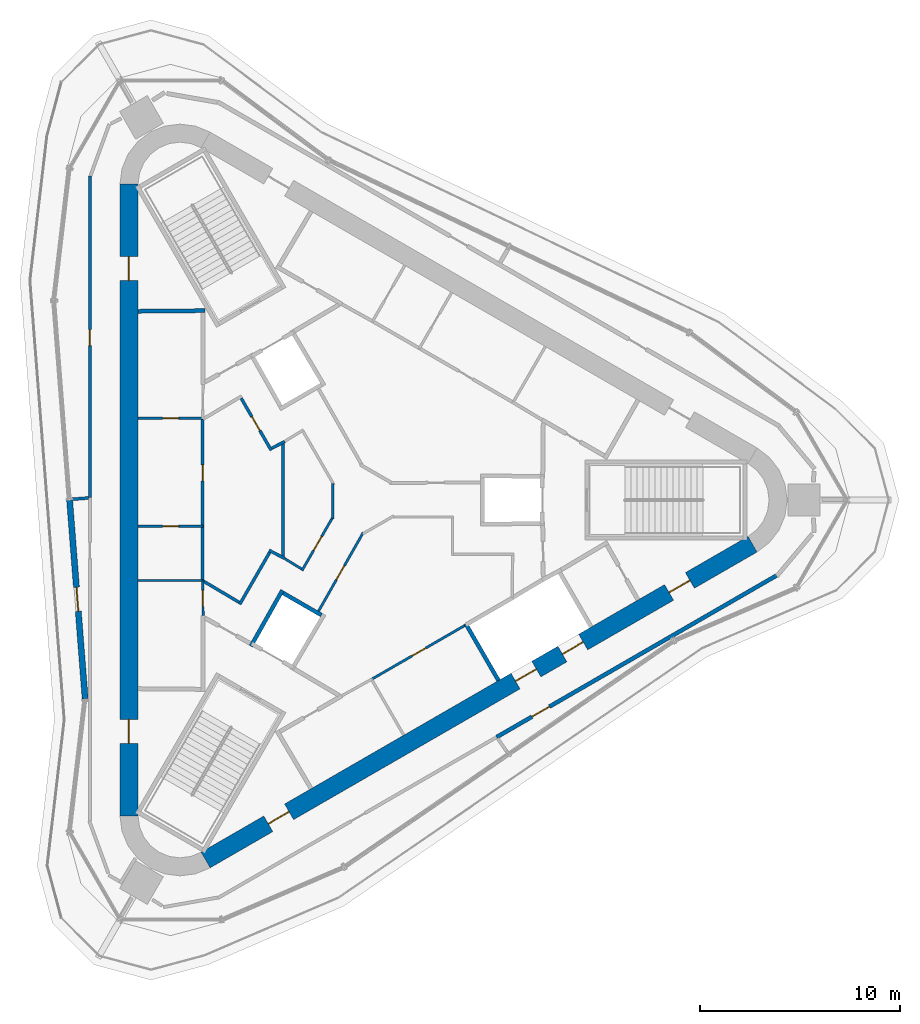
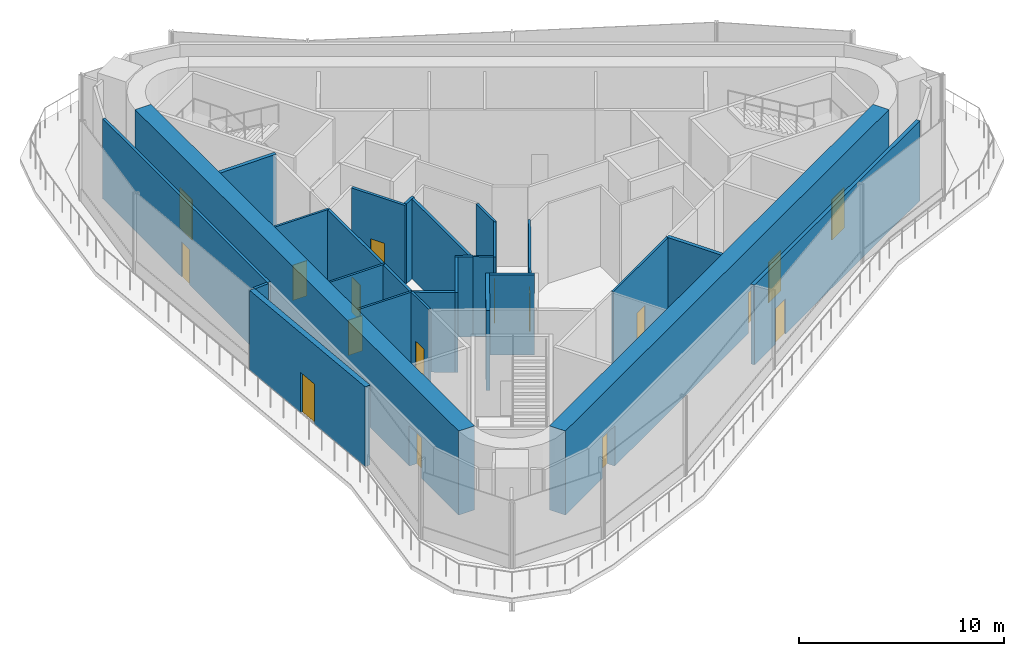
# One storey, part 4 of 8: 26 walls, 17 doors, 17 openings.
"""IFC4 building model written with IfcOpenShell, lengths in metres."""

from ifc_helpers import new_model, si_unit, direction, frame, frame_2d, origin, place, context, subcontext, project, spatial, rectangle, extrude, material, layer, layer_set, type_object, element, fill, save


model = new_model("IFC4")

# Units and contexts
model_context = context("Model", 3, precision=1e-05, world=origin(), true_north=direction((0.0, 1.0)))
body_context = subcontext(model_context, "Body", "Model", "MODEL_VIEW")
ifc_project = project(units=[si_unit("LENGTHUNIT", "METRE"), si_unit("AREAUNIT", "SQUARE_METRE"), si_unit("VOLUMEUNIT", "CUBIC_METRE"), si_unit("PLANEANGLEUNIT", "RADIAN"), si_unit("MASSUNIT", "GRAM", prefix="KILO")], contexts=[model_context])

# Site, building, storey
site_placement = place(None, origin())
site = spatial("IfcSite", under=ifc_project, at=site_placement, CompositionType="ELEMENT")
building_placement = place(site_placement, origin())
building = spatial("IfcBuilding", under=site, at=building_placement, Name="Tanit Gate Tower", CompositionType="ELEMENT")
storey_placement = place(building_placement, frame((0.0, 0.0, 435.300048828125)))
storey = spatial("IfcBuildingStorey", under=building, at=storey_placement, Name="L98", CompositionType="ELEMENT", Elevation=435.300048828125)

# Wall, openings, doors
ifc_material_1 = material(Name="Concrete C40/50", Category="concrete")
ifc_layer_1 = layer(ifc_material_1, 0.89990234375)
ifc_layer_set_1 = layer_set([ifc_layer_1], Name="CORE WALL 900 C40/50")
wall_type_1 = type_object("IfcWallType", Name="CORE WALL 900 C40/50", PredefinedType="SHEAR", material=ifc_layer_set_1)
wall_1_placement = place(storey_placement, frame((-11.64990234375, 15.76171875, 0.0), z_axis=(0.0, 0.0, 1.0), x_axis=(0.0, -1.0, 0.0)))
wall_1 = element("IfcWall", 1, at=wall_1_placement, inside=storey, type_object=wall_type_1, Name="CORE WALL", PredefinedType="SHEAR", context=body_context, shape_type="SweptSolid", body=[
    extrude(rectangle(XDim=31.5234375, YDim=0.89990234375, at=frame_2d((15.76171875, 0.0))), origin(), (0.0, 0.0, 1.0), 5.0),
])
opening_1_placement = place(wall_1_placement, frame((3.61181640625, 0.0, 0.0)))
opening_1 = element("IfcOpeningElement", 2, at=opening_1_placement, cuts=wall_1, Name="Opening F12-98-FL2", PredefinedType="OPENING", context=body_context, shape_type="SweptSolid", body=[
    extrude(rectangle(XDim=1.199951171875, YDim=2.39990234375, at=frame_2d((0.60009765625, 1.199951171875))), frame((0.0, 0.4599609375, 0.0), z_axis=(0.0, -1.0, 0.0), x_axis=(1.0, 0.0, 0.0)), (0.0, 0.0, 1.0), 0.919921875),
])
opening_2_placement = place(wall_1_placement, frame((26.711669921875, 0.0, 0.0)))
opening_2 = element("IfcOpeningElement", 3, at=opening_2_placement, cuts=wall_1, Name="Opening F12-98-S3", PredefinedType="OPENING", context=body_context, shape_type="SweptSolid", body=[
    extrude(rectangle(XDim=1.199951171875, YDim=2.39990234375, at=frame_2d((0.60009765625, 1.199951171875))), frame((0.0, 0.4599609375, 0.0), z_axis=(0.0, -1.0, 0.0), x_axis=(1.0, 0.0, 0.0)), (0.0, 0.0, 1.0), 0.919921875),
])
ifc_material_2 = material(Name="Fire-rated steel door leaf", Category="steel")
door_type_1 = type_object("IfcDoorType", Name="INT-DOOR-FIRE-LOBBY-1200", OperationType="NOTDEFINED", PredefinedType="USERDEFINED", material=ifc_material_2)
door_1_placement = place(opening_1_placement, origin())
door_1 = element("IfcDoor", 4, at=door_1_placement, inside=storey, type_object=door_type_1, Name="Door F12-98-FL2", ObjectType="FIRE DOOR", OperationType="SINGLE_SWING_RIGHT", OverallHeight=2.39990234375, OverallWidth=1.199951171875, PredefinedType="USERDEFINED", context=body_context, shape_type="SweptSolid", body=[
    extrude(rectangle(XDim=1.199951171875, YDim=2.39990234375, at=frame_2d((0.60009765625, 1.199951171875))), frame((0.0, 0.02490234375, 0.0), z_axis=(0.0, -1.0, 0.0), x_axis=(1.0, 0.0, 0.0)), (0.0, 0.0, 1.0), 0.050048828125),
])
fill(opening_1, door_1)
door_2_placement = place(opening_2_placement, origin())
door_2 = element("IfcDoor", 5, at=door_2_placement, inside=storey, type_object=door_type_1, Name="Door F12-98-S3", ObjectType="FIRE DOOR", OperationType="SINGLE_SWING_LEFT", OverallHeight=2.39990234375, OverallWidth=1.199951171875, PredefinedType="USERDEFINED", context=body_context, shape_type="SweptSolid", body=[
    extrude(rectangle(XDim=1.199951171875, YDim=2.39990234375, at=frame_2d((0.60009765625, 1.199951171875))), frame((0.0, 0.02490234375, 0.0), z_axis=(0.0, -1.0, 0.0), x_axis=(1.0, 0.0, 0.0)), (0.0, 0.0, 1.0), 0.050048828125),
])
fill(opening_2, door_2)

wall_2_placement = place(storey_placement, frame((-7.824951171875, -17.969970703125, 0.0), z_axis=(0.0, 0.0, 1.0), x_axis=(0.866028369851, 0.499994862586, 0.0)))
wall_2 = element("IfcWall", 6, at=wall_2_placement, inside=storey, type_object=wall_type_1, Name="CORE WALL", PredefinedType="SHEAR", context=body_context, shape_type="SweptSolid", body=[
    extrude(rectangle(XDim=31.523193359375, YDim=0.89990234375, at=frame_2d((15.76171875, 0.0))), origin(), (0.0, 0.0, 1.0), 5.0),
])
opening_3_placement = place(wall_2_placement, frame((17.861572265625, 0.0, 0.0)))
opening_3 = element("IfcOpeningElement", 7, at=opening_3_placement, cuts=wall_2, Name="Opening LDSV1-98", PredefinedType="OPENING", context=body_context, shape_type="SweptSolid", body=[
    extrude(rectangle(XDim=1.199951171875, YDim=2.39990234375, at=frame_2d((0.60009765625, 1.199951171875))), frame((0.0, 0.4599609375, 0.0), z_axis=(0.0, -1.0, 0.0), x_axis=(1.0, 0.0, 0.0)), (0.0, 0.0, 1.0), 0.919921875),
])
opening_4_placement = place(wall_2_placement, frame((20.561767578125, 0.0, 0.0)))
opening_4 = element("IfcOpeningElement", 8, at=opening_4_placement, cuts=wall_2, Name="Opening LDSV2-98", PredefinedType="OPENING", context=body_context, shape_type="SweptSolid", body=[
    extrude(rectangle(XDim=1.199951171875, YDim=2.39990234375, at=frame_2d((0.60009765625, 1.199951171875))), frame((0.0, 0.4599609375, 0.0), z_axis=(0.0, -1.0, 0.0), x_axis=(1.0, 0.0, 0.0)), (0.0, 0.0, 1.0), 0.919921875),
])
opening_5_placement = place(wall_2_placement, frame((26.711669921875, 0.0, 0.0)))
opening_5 = element("IfcOpeningElement", 9, at=opening_5_placement, cuts=wall_2, Name="Opening F12-98-S1", PredefinedType="OPENING", context=body_context, shape_type="SweptSolid", body=[
    extrude(rectangle(XDim=1.199951171875, YDim=2.39990234375, at=frame_2d((0.60009765625, 1.199951171875))), frame((0.0, 0.4599609375, 0.0), z_axis=(0.0, -1.0, 0.0), x_axis=(1.0, 0.0, 0.0)), (0.0, 0.0, 1.0), 0.919921875),
])
opening_6_placement = place(wall_2_placement, frame((3.611572265625, 0.0, 0.0)))
opening_6 = element("IfcOpeningElement", 10, at=opening_6_placement, cuts=wall_2, Name="Opening F12-98-FL3", PredefinedType="OPENING", context=body_context, shape_type="SweptSolid", body=[
    extrude(rectangle(XDim=1.199951171875, YDim=2.39990234375, at=frame_2d((0.60009765625, 1.199951171875))), frame((0.0, 0.4599609375, 0.0), z_axis=(0.0, -1.0, 0.0), x_axis=(1.0, 0.0, 0.0)), (0.0, 0.0, 1.0), 0.919921875),
])
door_3_placement = place(opening_5_placement, origin())
door_3 = element("IfcDoor", 11, at=door_3_placement, inside=storey, type_object=door_type_1, Name="Door F12-98-S1", ObjectType="FIRE DOOR", OperationType="SINGLE_SWING_RIGHT", OverallHeight=2.39990234375, OverallWidth=1.199951171875, PredefinedType="USERDEFINED", context=body_context, shape_type="SweptSolid", body=[
    extrude(rectangle(XDim=1.199951171875, YDim=2.39990234375, at=frame_2d((0.60009765625, 1.199951171875))), frame((0.0, 0.02490234375, 0.0), z_axis=(0.0, -1.0, 0.0), x_axis=(1.0, 0.0, 0.0)), (0.0, 0.0, 1.0), 0.050048828125),
])
fill(opening_5, door_3)
door_4_placement = place(opening_6_placement, origin())
door_4 = element("IfcDoor", 12, at=door_4_placement, inside=storey, type_object=door_type_1, Name="Door F12-98-FL3", ObjectType="FIRE DOOR", OperationType="SINGLE_SWING_LEFT", OverallHeight=2.39990234375, OverallWidth=1.199951171875, PredefinedType="USERDEFINED", context=body_context, shape_type="SweptSolid", body=[
    extrude(rectangle(XDim=1.199951171875, YDim=2.39990234375, at=frame_2d((0.60009765625, 1.199951171875))), frame((0.0, 0.02490234375, 0.0), z_axis=(0.0, -1.0, 0.0), x_axis=(1.0, 0.0, 0.0)), (0.0, 0.0, 1.0), 0.050048828125),
])
fill(opening_6, door_4)
ifc_material_3 = material(Name="Stainless steel sliding door leaf", Category="steel")
door_type_2 = type_object("IfcDoorType", Name="INT-DOOR-LANDING-1200", OperationType="NOTDEFINED", PredefinedType="USERDEFINED", material=ifc_material_3)
door_5_placement = place(opening_3_placement, origin())
door_5 = element("IfcDoor", 13, at=door_5_placement, inside=storey, type_object=door_type_2, Name="Door LDSV1-98", ObjectType="LANDING DOOR", OperationType="SLIDING_TO_LEFT", OverallHeight=2.39990234375, OverallWidth=1.199951171875, PredefinedType="USERDEFINED", context=body_context, shape_type="SweptSolid", body=[
    extrude(rectangle(XDim=1.199951171875, YDim=2.39990234375, at=frame_2d((0.60009765625, 1.199951171875))), frame((0.0, 0.02490234375, 0.0), z_axis=(0.0, -1.0, 0.0), x_axis=(1.0, 0.0, 0.0)), (0.0, 0.0, 1.0), 0.050048828125),
])
fill(opening_3, door_5)
door_6_placement = place(opening_4_placement, origin())
door_6 = element("IfcDoor", 14, at=door_6_placement, inside=storey, type_object=door_type_2, Name="Door LDSV2-98", ObjectType="LANDING DOOR", OperationType="SLIDING_TO_LEFT", OverallHeight=2.39990234375, OverallWidth=1.199951171875, PredefinedType="USERDEFINED", context=body_context, shape_type="SweptSolid", body=[
    extrude(rectangle(XDim=1.199951171875, YDim=2.39990234375, at=frame_2d((0.60009765625, 1.199951171875))), frame((0.0, 0.02490234375, 0.0), z_axis=(0.0, -1.0, 0.0), x_axis=(1.0, 0.0, 0.0)), (0.0, 0.0, 1.0), 0.050048828125),
])
fill(opening_4, door_6)

# Wall
ifc_material_4 = material(Name="Fire-rated gypsum board partition")
ifc_layer_2 = layer(ifc_material_4, 0.199951171875)
ifc_layer_set_2 = layer_set([ifc_layer_2], Name="INT-WALL-COMPARTMENT")
wall_type_2 = type_object("IfcWallType", Name="INT-WALL-COMPARTMENT", PredefinedType="PARTITIONING", material=ifc_layer_set_2)
wall_3_placement = place(storey_placement, frame((-7.85009765625, 9.450927734375, 0.0), z_axis=(0.0, 0.0, 1.0), x_axis=(-0.999957167047, -0.009255488683, 0.0)))
element("IfcWall", 15, at=wall_3_placement, inside=storey, type_object=wall_type_2, Name="Wall Compartment W034", PredefinedType="PARTITIONING", context=body_context, shape_type="SweptSolid", body=[
    extrude(rectangle(XDim=3.35009765625, YDim=0.199951171875, at=frame_2d((1.675048828125, 0.0))), origin(), (0.0, 0.0, 1.0), 4.75),
])

# Wall, opening, door
wall_4_placement = place(storey_placement, frame((6.697509765625, -11.837158203125, 0.0), z_axis=(0.0, 0.0, 1.0), x_axis=(0.866022444471, 0.500005125646, 0.0)))
wall_4 = element("IfcWall", 16, at=wall_4_placement, inside=storey, type_object=wall_type_2, Name="Wall Compartment W112", PredefinedType="PARTITIONING", context=body_context, shape_type="SweptSolid", body=[
    extrude(rectangle(XDim=16.123779296875, YDim=0.199951171875, at=frame_2d((8.06201171875, 0.0))), origin(), (0.0, 0.0, 1.0), 4.75),
])
opening_7_placement = place(wall_4_placement, frame((2.043701171875, 0.0, 0.0)))
opening_7 = element("IfcOpeningElement", 17, at=opening_7_placement, cuts=wall_4, Name="Opening F10-98-31", PredefinedType="OPENING", context=body_context, shape_type="SweptSolid", body=[
    extrude(rectangle(XDim=1.0, YDim=2.10009765625, at=frame_2d((0.5, 1.050048828125))), frame((0.0, 0.10986328125, 0.0), z_axis=(0.0, -1.0, 0.0), x_axis=(1.0, 0.0, 0.0)), (0.0, 0.0, 1.0), 0.219970703125),
])
ifc_material_5 = material(Name="Fire-rated steel door leaf", Category="steel")
door_type_3 = type_object("IfcDoorType", Name="INT-DOOR-FIRE-1000", OperationType="NOTDEFINED", PredefinedType="USERDEFINED", material=ifc_material_5)
door_7_placement = place(opening_7_placement, origin())
door_7 = element("IfcDoor", 18, at=door_7_placement, inside=storey, type_object=door_type_3, Name="Door F10-98-31", ObjectType="FIRE DOOR", OperationType="SINGLE_SWING_RIGHT", OverallHeight=2.10009765625, OverallWidth=1.0, PredefinedType="USERDEFINED", context=body_context, shape_type="SweptSolid", body=[
    extrude(rectangle(XDim=1.0, YDim=2.10009765625, at=frame_2d((0.5, 1.050048828125))), frame((0.0, 0.02490234375, 0.0), z_axis=(0.0, -1.0, 0.0), x_axis=(1.0, 0.0, 0.0)), (0.0, 0.0, 1.0), 0.050048828125),
])
fill(opening_7, door_7)

ifc_material_6 = material(Name="Gypsum board partition")
ifc_layer_3 = layer(ifc_material_6, 0.1201171875)
ifc_layer_set_3 = layer_set([ifc_layer_3], Name="INT-WALL-PARTITION")
wall_type_3 = type_object("IfcWallType", Name="INT-WALL-PARTITION", PredefinedType="PARTITIONING", material=ifc_layer_set_3)
wall_5_placement = place(storey_placement, frame((-11.199951171875, 4.080078125, 0.0), z_axis=(0.0, 0.0, 1.0), x_axis=(1.0, 0.0, 0.0)))
wall_5 = element("IfcWall", 19, at=wall_5_placement, inside=storey, type_object=wall_type_3, Name="Wall Partition W033", PredefinedType="PARTITIONING", context=body_context, shape_type="SweptSolid", body=[
    extrude(rectangle(XDim=3.25, YDim=0.1201171875, at=frame_2d((1.625, 0.0))), origin(), (0.0, 0.0, 1.0), 4.75),
])
opening_8_placement = place(wall_5_placement, frame((1.22509765625, 0.0, 0.0)))
opening_8 = element("IfcOpeningElement", 20, at=opening_8_placement, cuts=wall_5, Name="Opening R08-98-32", PredefinedType="OPENING", context=body_context, shape_type="SweptSolid", body=[
    extrude(rectangle(XDim=0.800048828125, YDim=2.10009765625, at=frame_2d((0.39990234375, 1.050048828125))), frame((0.0, 0.070068359375, 0.0), z_axis=(0.0, -1.0, 0.0), x_axis=(1.0, 0.0, 0.0)), (0.0, 0.0, 1.0), 0.14013671875),
])
ifc_material_7 = material(Name="Timber door leaf", Category="wood")
door_type_4 = type_object("IfcDoorType", Name="INT-DOOR-RISER-800", OperationType="NOTDEFINED", PredefinedType="USERDEFINED", material=ifc_material_7)
door_8_placement = place(opening_8_placement, origin())
door_8 = element("IfcDoor", 21, at=door_8_placement, inside=storey, type_object=door_type_4, Name="Door R08-98-32", ObjectType="FIRE DOOR", OperationType="SINGLE_SWING_LEFT", OverallHeight=2.10009765625, OverallWidth=0.800048828125, PredefinedType="USERDEFINED", context=body_context, shape_type="SweptSolid", body=[
    extrude(rectangle(XDim=0.800048828125, YDim=2.10009765625, at=frame_2d((0.39990234375, 1.050048828125))), frame((0.0, 0.02490234375, 0.0), z_axis=(0.0, -1.0, 0.0), x_axis=(1.0, 0.0, 0.0)), (0.0, 0.0, 1.0), 0.050048828125),
])
fill(opening_8, door_8)

wall_6_placement = place(storey_placement, frame((-11.199951171875, -1.320068359375, 0.0), z_axis=(0.0, 0.0, 1.0), x_axis=(1.0, 0.0, 0.0)))
wall_6 = element("IfcWall", 22, at=wall_6_placement, inside=storey, type_object=wall_type_3, Name="Wall Partition W037", PredefinedType="PARTITIONING", context=body_context, shape_type="SweptSolid", body=[
    extrude(rectangle(XDim=3.25, YDim=0.1201171875, at=frame_2d((1.625, 0.0))), origin(), (0.0, 0.0, 1.0), 4.75),
])
opening_9_placement = place(wall_6_placement, frame((1.22509765625, 0.0, 0.0)))
opening_9 = element("IfcOpeningElement", 23, at=opening_9_placement, cuts=wall_6, Name="Opening R08-98-15", PredefinedType="OPENING", context=body_context, shape_type="SweptSolid", body=[
    extrude(rectangle(XDim=0.800048828125, YDim=2.10009765625, at=frame_2d((0.39990234375, 1.050048828125))), frame((0.0, 0.070068359375, 0.0), z_axis=(0.0, -1.0, 0.0), x_axis=(1.0, 0.0, 0.0)), (0.0, 0.0, 1.0), 0.14013671875),
])
door_9_placement = place(opening_9_placement, origin())
door_9 = element("IfcDoor", 24, at=door_9_placement, inside=storey, type_object=door_type_4, Name="Door R08-98-15", ObjectType="FIRE DOOR", OperationType="SINGLE_SWING_LEFT", OverallHeight=2.10009765625, OverallWidth=0.800048828125, PredefinedType="USERDEFINED", context=body_context, shape_type="SweptSolid", body=[
    extrude(rectangle(XDim=0.800048828125, YDim=2.10009765625, at=frame_2d((0.39990234375, 1.050048828125))), frame((0.0, 0.02490234375, 0.0), z_axis=(0.0, -1.0, 0.0), x_axis=(1.0, 0.0, 0.0)), (0.0, 0.0, 1.0), 0.050048828125),
])
fill(opening_9, door_9)

# Wall
wall_7_placement = place(storey_placement, frame((-7.949951171875, -4.02001953125, 0.0), z_axis=(0.0, 0.0, 1.0), x_axis=(-1.0, 0.0, 0.0)))
element("IfcWall", 25, at=wall_7_placement, inside=storey, type_object=wall_type_3, Name="Wall Partition W039", PredefinedType="PARTITIONING", context=body_context, shape_type="SweptSolid", body=[
    extrude(rectangle(XDim=3.25, YDim=0.1201171875, at=frame_2d((1.625, 0.0))), origin(), (0.0, 0.0, 1.0), 4.75),
])

# Wall, opening, door
wall_8_placement = place(storey_placement, frame((-7.95068359375, -5.7724609375, 0.0), z_axis=(0.0, 0.0, 1.0), x_axis=(-0.012047318415, 0.999927428426, 0.0)))
wall_8 = element("IfcWall", 26, at=wall_8_placement, inside=storey, type_object=wall_type_3, Name="Wall Partition W043", PredefinedType="PARTITIONING", context=body_context, shape_type="SweptSolid", body=[
    extrude(rectangle(XDim=1.72265625, YDim=0.1201171875, at=frame_2d((0.861328125, 0.0))), origin(), (0.0, 0.0, 1.0), 4.75),
])
opening_10_placement = place(wall_8_placement, frame((0.461181640625, 0.0, 0.0)))
opening_10 = element("IfcOpeningElement", 27, at=opening_10_placement, cuts=wall_8, Name="Opening R08-98-16", PredefinedType="OPENING", context=body_context, shape_type="SweptSolid", body=[
    extrude(rectangle(XDim=0.800048828125, YDim=2.10009765625, at=frame_2d((0.39990234375, 1.050048828125))), frame((0.0, 0.070068359375, 0.0), z_axis=(0.0, -1.0, 0.0), x_axis=(1.0, 0.0, 0.0)), (0.0, 0.0, 1.0), 0.14013671875),
])
door_10_placement = place(opening_10_placement, origin())
door_10 = element("IfcDoor", 28, at=door_10_placement, inside=storey, type_object=door_type_4, Name="Door R08-98-16", ObjectType="FIRE DOOR", OperationType="SINGLE_SWING_LEFT", OverallHeight=2.10009765625, OverallWidth=0.800048828125, PredefinedType="USERDEFINED", context=body_context, shape_type="SweptSolid", body=[
    extrude(rectangle(XDim=0.800048828125, YDim=2.10009765625, at=frame_2d((0.39990234375, 1.050048828125))), frame((0.0, 0.02490234375, 0.0), z_axis=(0.0, -1.0, 0.0), x_axis=(1.0, 0.0, 0.0)), (0.0, 0.0, 1.0), 0.050048828125),
])
fill(opening_10, door_10)

wall_9_placement = place(storey_placement, frame((0.482666015625, -8.935791015625, 0.0), z_axis=(0.0, 0.0, 1.0), x_axis=(0.866028230842, 0.499995103361, 0.0)))
wall_9 = element("IfcWall", 29, at=wall_9_placement, inside=storey, type_object=wall_type_3, Name="Wall Partition W059", PredefinedType="PARTITIONING", context=body_context, shape_type="SweptSolid", body=[
    extrude(rectangle(XDim=5.39990234375, YDim=0.1201171875, at=frame_2d((2.699951171875, 0.0))), origin(), (0.0, 0.0, 1.0), 4.75),
])
opening_11_placement = place(wall_9_placement, frame((2.300048828125, 0.0, 0.0)))
opening_11 = element("IfcOpeningElement", 30, at=opening_11_placement, cuts=wall_9, Name="Opening R08-98-21", PredefinedType="OPENING", context=body_context, shape_type="SweptSolid", body=[
    extrude(rectangle(XDim=0.800048828125, YDim=2.10009765625, at=frame_2d((0.39990234375, 1.050048828125))), frame((0.0, 0.070068359375, 0.0), z_axis=(0.0, -1.0, 0.0), x_axis=(1.0, 0.0, 0.0)), (0.0, 0.0, 1.0), 0.14013671875),
])
door_11_placement = place(opening_11_placement, origin())
door_11 = element("IfcDoor", 31, at=door_11_placement, inside=storey, type_object=door_type_4, Name="Door R08-98-21", ObjectType="FIRE DOOR", OperationType="SINGLE_SWING_RIGHT", OverallHeight=2.10009765625, OverallWidth=0.800048828125, PredefinedType="USERDEFINED", context=body_context, shape_type="SweptSolid", body=[
    extrude(rectangle(XDim=0.800048828125, YDim=2.10009765625, at=frame_2d((0.39990234375, 1.050048828125))), frame((0.0, 0.02490234375, 0.0), z_axis=(0.0, -1.0, 0.0), x_axis=(1.0, 0.0, 0.0)), (0.0, 0.0, 1.0), 0.050048828125),
])
fill(opening_11, door_11)

wall_10_placement = place(storey_placement, frame((0.050537109375, -1.611083984375, 0.0), z_axis=(0.0, 0.0, 1.0), x_axis=(-0.49434454467, -0.869266053148, 0.0)))
wall_10 = element("IfcWall", 32, at=wall_10_placement, inside=storey, type_object=wall_type_3, Name="Wall Partition W071", PredefinedType="PARTITIONING", context=body_context, shape_type="SweptSolid", body=[
    extrude(rectangle(XDim=4.5302734375, YDim=0.1201171875, at=frame_2d((2.26513671875, 0.0))), origin(), (0.0, 0.0, 1.0), 4.75),
])
opening_12_placement = place(wall_10_placement, frame((1.916259765625, 0.0, 0.0)))
opening_12 = element("IfcOpeningElement", 33, at=opening_12_placement, cuts=wall_10, Name="Opening R08-98-11", PredefinedType="OPENING", context=body_context, shape_type="SweptSolid", body=[
    extrude(rectangle(XDim=0.800048828125, YDim=2.10009765625, at=frame_2d((0.39990234375, 1.050048828125))), frame((0.0, 0.070068359375, 0.0), z_axis=(0.0, -1.0, 0.0), x_axis=(1.0, 0.0, 0.0)), (0.0, 0.0, 1.0), 0.14013671875),
])
door_12_placement = place(opening_12_placement, origin())
door_12 = element("IfcDoor", 34, at=door_12_placement, inside=storey, type_object=door_type_4, Name="Door R08-98-11", ObjectType="FIRE DOOR", OperationType="SINGLE_SWING_LEFT", OverallHeight=2.10009765625, OverallWidth=0.800048828125, PredefinedType="USERDEFINED", context=body_context, shape_type="SweptSolid", body=[
    extrude(rectangle(XDim=0.800048828125, YDim=2.10009765625, at=frame_2d((0.39990234375, 1.050048828125))), frame((0.0, 0.02490234375, 0.0), z_axis=(0.0, -1.0, 0.0), x_axis=(1.0, 0.0, 0.0)), (0.0, 0.0, 1.0), 0.050048828125),
])
fill(opening_12, door_12)

# Wall
wall_11_placement = place(storey_placement, frame((-1.47216796875, -0.953857421875, 0.0), z_axis=(0.0, 0.0, 1.0), x_axis=(0.0, 1.0, 0.0)))
element("IfcWall", 35, at=wall_11_placement, inside=storey, type_object=wall_type_3, Name="Wall Partition W086", PredefinedType="PARTITIONING", context=body_context, shape_type="SweptSolid", body=[
    extrude(rectangle(XDim=1.785400390625, YDim=0.1201171875, at=frame_2d((0.892578125, 0.0))), origin(), (0.0, 0.0, 1.0), 4.75),
])

# Wall, opening, door
wall_12_placement = place(storey_placement, frame((-3.01611328125, -3.524169921875, 0.0), z_axis=(0.0, 0.0, 1.0), x_axis=(0.499988681553, 0.866031938394, 0.0)))
wall_12 = element("IfcWall", 36, at=wall_12_placement, inside=storey, type_object=wall_type_3, Name="Wall Partition W087", PredefinedType="PARTITIONING", context=body_context, shape_type="SweptSolid", body=[
    extrude(rectangle(XDim=3.0693359375, YDim=0.1201171875, at=frame_2d((1.53466796875, 0.0))), origin(), (0.0, 0.0, 1.0), 4.75),
])
opening_13_placement = place(wall_12_placement, frame((1.16455078125, 0.0, 0.0)))
opening_13 = element("IfcOpeningElement", 37, at=opening_13_placement, cuts=wall_12, Name="Opening R08-98-13", PredefinedType="OPENING", context=body_context, shape_type="SweptSolid", body=[
    extrude(rectangle(XDim=0.800048828125, YDim=2.10009765625, at=frame_2d((0.39990234375, 1.050048828125))), frame((0.0, 0.070068359375, 0.0), z_axis=(0.0, -1.0, 0.0), x_axis=(1.0, 0.0, 0.0)), (0.0, 0.0, 1.0), 0.14013671875),
])
door_13_placement = place(opening_13_placement, origin())
door_13 = element("IfcDoor", 38, at=door_13_placement, inside=storey, type_object=door_type_4, Name="Door R08-98-13", ObjectType="FIRE DOOR", OperationType="SINGLE_SWING_RIGHT", OverallHeight=2.10009765625, OverallWidth=0.800048828125, PredefinedType="USERDEFINED", context=body_context, shape_type="SweptSolid", body=[
    extrude(rectangle(XDim=0.800048828125, YDim=2.10009765625, at=frame_2d((0.39990234375, 1.050048828125))), frame((0.0, 0.02490234375, 0.0), z_axis=(0.0, -1.0, 0.0), x_axis=(1.0, 0.0, 0.0)), (0.0, 0.0, 1.0), 0.050048828125),
])
fill(opening_13, door_13)

# Wall
wall_13_placement = place(storey_placement, frame((-3.869873046875, -2.93017578125, 0.0), z_axis=(0.0, 0.0, 1.0), x_axis=(0.852489850103, -0.522743776119, 0.0)))
element("IfcWall", 39, at=wall_13_placement, inside=storey, type_object=wall_type_3, Name="Wall Partition W088", PredefinedType="PARTITIONING", context=body_context, shape_type="SweptSolid", body=[
    extrude(rectangle(XDim=0.9765625, YDim=0.1201171875, at=frame_2d((0.48828125, 0.0))), origin(), (0.0, 0.0, 1.0), 4.75),
])

# Wall, opening, door
ifc_material_8 = material(Name="Fire-rated gypsum board partition")
ifc_layer_4 = layer(ifc_material_8, 0.14990234375)
ifc_layer_set_4 = layer_set([ifc_layer_4], Name="INT-WALL-RISER")
wall_type_4 = type_object("IfcWallType", Name="INT-WALL-RISER", PredefinedType="PLUMBINGWALL", material=ifc_layer_set_4)
wall_14_placement = place(storey_placement, frame((-7.97998046875, 4.050048828125, 0.0), z_axis=(0.0, 0.0, 1.0), x_axis=(0.0, -1.0, 0.0)))
wall_14 = element("IfcWall", 40, at=wall_14_placement, inside=storey, type_object=wall_type_4, Name="Wall Riser W038", PredefinedType="PLUMBINGWALL", context=body_context, shape_type="SweptSolid", body=[
    extrude(rectangle(XDim=8.10009765625, YDim=0.14990234375, at=frame_2d((4.050048828125, 0.0))), origin(), (0.0, 0.0, 1.0), 4.75),
])
opening_14_placement = place(wall_14_placement, frame((2.300048828125, 0.0, 0.0)))
opening_14 = element("IfcOpeningElement", 41, at=opening_14_placement, cuts=wall_14, Name="Opening R08-98-23", PredefinedType="OPENING", context=body_context, shape_type="SweptSolid", body=[
    extrude(rectangle(XDim=0.800048828125, YDim=2.10009765625, at=frame_2d((0.39990234375, 1.050048828125))), frame((0.0, 0.0849609375, 0.0), z_axis=(0.0, -1.0, 0.0), x_axis=(1.0, 0.0, 0.0)), (0.0, 0.0, 1.0), 0.169921875),
])
door_14_placement = place(opening_14_placement, origin())
door_14 = element("IfcDoor", 42, at=door_14_placement, inside=storey, type_object=door_type_4, Name="Door R08-98-23", ObjectType="FIRE DOOR", OperationType="SINGLE_SWING_RIGHT", OverallHeight=2.10009765625, OverallWidth=0.800048828125, PredefinedType="USERDEFINED", context=body_context, shape_type="SweptSolid", body=[
    extrude(rectangle(XDim=0.800048828125, YDim=2.10009765625, at=frame_2d((0.39990234375, 1.050048828125))), frame((0.0, 0.02490234375, 0.0), z_axis=(0.0, -1.0, 0.0), x_axis=(1.0, 0.0, 0.0)), (0.0, 0.0, 1.0), 0.050048828125),
])
fill(opening_14, door_14)

# Walls
wall_15_placement = place(storey_placement, frame((-3.9638671875, -2.90771484375, 0.0), z_axis=(0.0, 0.0, 1.0), x_axis=(0.0, 1.0, 0.0)))
element("IfcWall", 43, at=wall_15_placement, inside=storey, type_object=wall_type_4, Name="Wall Riser W077", PredefinedType="PLUMBINGWALL", context=body_context, shape_type="SweptSolid", body=[
    extrude(rectangle(XDim=5.8154296875, YDim=0.14990234375, at=frame_2d((2.90771484375, 0.0))), origin(), (0.0, 0.0, 1.0), 4.75),
])
wall_16_placement = place(storey_placement, frame((-4.65478515625, -2.51220703125, 0.0), z_axis=(0.0, 0.0, 1.0), x_axis=(0.885372046241, -0.464883146323, 0.0)))
element("IfcWall", 44, at=wall_16_placement, inside=storey, type_object=wall_type_4, Name="Wall Riser W078", PredefinedType="PLUMBINGWALL", context=body_context, shape_type="SweptSolid", body=[
    extrude(rectangle(XDim=0.87451171875, YDim=0.14990234375, at=frame_2d((0.437255859375, 0.0))), origin(), (0.0, 0.0, 1.0), 4.75),
])
wall_17_placement = place(storey_placement, frame((-6.125732421875, -5.210205078125, 0.0), z_axis=(0.0, 0.0, 1.0), x_axis=(0.499990139034, 0.866031096941, 0.0)))
element("IfcWall", 45, at=wall_17_placement, inside=storey, type_object=wall_type_4, Name="Wall Riser W079", PredefinedType="PLUMBINGWALL", context=body_context, shape_type="SweptSolid", body=[
    extrude(rectangle(XDim=3.0, YDim=0.14990234375, at=frame_2d((1.5, 0.0))), origin(), (0.0, 0.0, 1.0), 4.75),
])
wall_18_placement = place(storey_placement, frame((-7.949951171875, -4.041015625, 0.0), z_axis=(0.0, 0.0, 1.0), x_axis=(0.860090281069, -0.510141851263, 0.0)))
element("IfcWall", 46, at=wall_18_placement, inside=storey, type_object=wall_type_4, Name="Wall Riser W080", PredefinedType="PLUMBINGWALL", context=body_context, shape_type="SweptSolid", body=[
    extrude(rectangle(XDim=2.08935546875, YDim=0.14990234375, at=frame_2d((1.044677734375, 0.0))), origin(), (0.0, 0.0, 1.0), 4.75),
])

# Wall, opening, door
wall_19_placement = place(storey_placement, frame((-4.55078125, 2.482177734375, 0.0), z_axis=(0.0, 0.0, 1.0), x_axis=(-0.499990139034, 0.866031096941, 0.0)))
wall_19 = element("IfcWall", 47, at=wall_19_placement, inside=storey, type_object=wall_type_4, Name="Wall Riser W082", PredefinedType="PLUMBINGWALL", context=body_context, shape_type="SweptSolid", body=[
    extrude(rectangle(XDim=3.0, YDim=0.14990234375, at=frame_2d((1.5, 0.0))), origin(), (0.0, 0.0, 1.0), 4.75),
])
opening_15_placement = place(wall_19_placement, frame((1.137451171875, 0.0, 0.0)))
opening_15 = element("IfcOpeningElement", 48, at=opening_15_placement, cuts=wall_19, Name="Opening R08-98-12", PredefinedType="OPENING", context=body_context, shape_type="SweptSolid", body=[
    extrude(rectangle(XDim=0.800048828125, YDim=2.10009765625, at=frame_2d((0.39990234375, 1.050048828125))), frame((0.0, 0.0849609375, 0.0), z_axis=(0.0, -1.0, 0.0), x_axis=(1.0, 0.0, 0.0)), (0.0, 0.0, 1.0), 0.169921875),
])
door_15_placement = place(opening_15_placement, origin())
door_15 = element("IfcDoor", 49, at=door_15_placement, inside=storey, type_object=door_type_4, Name="Door R08-98-12", ObjectType="FIRE DOOR", OperationType="SINGLE_SWING_LEFT", OverallHeight=2.10009765625, OverallWidth=0.800048828125, PredefinedType="USERDEFINED", context=body_context, shape_type="SweptSolid", body=[
    extrude(rectangle(XDim=0.800048828125, YDim=2.10009765625, at=frame_2d((0.39990234375, 1.050048828125))), frame((0.0, 0.02490234375, 0.0), z_axis=(0.0, -1.0, 0.0), x_axis=(1.0, 0.0, 0.0)), (0.0, 0.0, 1.0), 0.050048828125),
])
fill(opening_15, door_15)

# Wall
wall_20_placement = place(storey_placement, frame((-3.880615234375, 2.918701171875, 0.0), z_axis=(0.0, 0.0, 1.0), x_axis=(-0.885422176933, -0.464787659684, 0.0)))
element("IfcWall", 50, at=wall_20_placement, inside=storey, type_object=wall_type_4, Name="Wall Riser W083", PredefinedType="PLUMBINGWALL", context=body_context, shape_type="SweptSolid", body=[
    extrude(rectangle(XDim=0.724365234375, YDim=0.14990234375, at=frame_2d((0.3623046875, 0.0))), origin(), (0.0, 0.0, 1.0), 4.75),
])

# Wall, opening, door
wall_21_placement = place(storey_placement, frame((-13.60009765625, 16.180419921875, 0.0), z_axis=(0.0, 0.0, 1.0), x_axis=(0.0, -1.0, 0.0)))
wall_21 = element("IfcWall", 51, at=wall_21_placement, inside=storey, type_object=wall_type_4, Name="Wall Riser W089", PredefinedType="PLUMBINGWALL", context=body_context, shape_type="SweptSolid", body=[
    extrude(rectangle(XDim=16.063232421875, YDim=0.14990234375, at=frame_2d((8.03173828125, 0.0))), origin(), (0.0, 0.0, 1.0), 4.75),
])
opening_16_placement = place(wall_21_placement, frame((7.675048828125, 0.0, 0.0)))
opening_16 = element("IfcOpeningElement", 52, at=opening_16_placement, cuts=wall_21, Name="Opening R08-98-26", PredefinedType="OPENING", context=body_context, shape_type="SweptSolid", body=[
    extrude(rectangle(XDim=0.800048828125, YDim=2.10009765625, at=frame_2d((0.39990234375, 1.050048828125))), frame((0.0, 0.0849609375, 0.0), z_axis=(0.0, -1.0, 0.0), x_axis=(1.0, 0.0, 0.0)), (0.0, 0.0, 1.0), 0.169921875),
])
door_16_placement = place(opening_16_placement, origin())
door_16 = element("IfcDoor", 53, at=door_16_placement, inside=storey, type_object=door_type_4, Name="Door R08-98-26", ObjectType="FIRE DOOR", OperationType="SINGLE_SWING_LEFT", OverallHeight=2.10009765625, OverallWidth=0.800048828125, PredefinedType="USERDEFINED", context=body_context, shape_type="SweptSolid", body=[
    extrude(rectangle(XDim=0.800048828125, YDim=2.10009765625, at=frame_2d((0.39990234375, 1.050048828125))), frame((0.0, 0.02490234375, 0.0), z_axis=(0.0, -1.0, 0.0), x_axis=(1.0, 0.0, 0.0)), (0.0, 0.0, 1.0), 0.050048828125),
])
fill(opening_16, door_16)

# Walls
wall_22_placement = place(storey_placement, frame((-14.4912109375, 0.037353515625, 0.0), z_axis=(0.0, 0.0, 1.0), x_axis=(0.996989219139, 0.077540292245, 0.0)))
element("IfcWall", 54, at=wall_22_placement, inside=storey, type_object=wall_type_4, Name="Wall Riser W096", PredefinedType="PLUMBINGWALL", context=body_context, shape_type="SweptSolid", body=[
    extrude(rectangle(XDim=0.818603515625, YDim=0.14990234375, at=frame_2d((0.4091796875, 0.0))), origin(), (0.0, 0.0, 1.0), 4.75),
])
ifc_material_9 = material(Name="Gypsum shaft wall system")
ifc_layer_5 = layer(ifc_material_9, 0.199951171875)
ifc_layer_set_5 = layer_set([ifc_layer_5], Name="INT-WALL-SHAFT")
wall_type_5 = type_object("IfcWallType", Name="INT-WALL-SHAFT", PredefinedType="PLUMBINGWALL", material=ifc_layer_set_5)
wall_23_placement = place(storey_placement, frame((6.795166015625, -9.009521484375, 0.0), z_axis=(0.0, 0.0, 1.0), x_axis=(-0.499984717929, 0.866034226713, 0.0)))
element("IfcWall", 55, at=wall_23_placement, inside=storey, type_object=wall_type_5, Name="Wall Shaft W001", PredefinedType="PLUMBINGWALL", context=body_context, shape_type="SweptSolid", body=[
    extrude(rectangle(XDim=3.25, YDim=0.199951171875, at=frame_2d((1.625, 0.0))), origin(), (0.0, 0.0, 1.0), 4.75),
])
wall_24_placement = place(storey_placement, frame((-3.95263671875, -4.646240234375, 0.0), z_axis=(0.0, 0.0, 1.0), x_axis=(0.86605622881, -0.499946605688, 0.0)))
element("IfcWall", 56, at=wall_24_placement, inside=storey, type_object=wall_type_5, Name="Wall Shaft W032", PredefinedType="PLUMBINGWALL", context=body_context, shape_type="SweptSolid", body=[
    extrude(rectangle(XDim=2.199951171875, YDim=0.199951171875, at=frame_2d((1.10009765625, 0.0))), origin(), (0.0, 0.0, 1.0), 4.75),
])
wall_25_placement = place(storey_placement, frame((-3.989990234375, -4.509033203125, 0.0), z_axis=(0.0, 0.0, 1.0), x_axis=(-0.491358283181, -0.870957540612, 0.0)))
element("IfcWall", 57, at=wall_25_placement, inside=storey, type_object=wall_type_5, Name="Wall Shaft W031", PredefinedType="PLUMBINGWALL", context=body_context, shape_type="SweptSolid", body=[
    extrude(rectangle(XDim=3.200439453125, YDim=0.199951171875, at=frame_2d((1.60009765625, 0.0))), origin(), (0.0, 0.0, 1.0), 4.75),
])

# Wall, opening, door
ifc_material_10 = material(Name="Concrete C30/37 insulated", Category="concrete")
ifc_layer_6 = layer(ifc_material_10, 0.300048828125)
ifc_layer_set_6 = layer_set([ifc_layer_6], Name="Plant level wall 300 insulated")
wall_type_6 = type_object("IfcWallType", Name="Plant level wall 300 insulated", PredefinedType="SOLIDWALL", material=ifc_layer_set_6)
wall_26_placement = place(storey_placement, frame((-14.613525390625, -0.00244140625, 0.0), z_axis=(0.0, 0.0, 1.0), x_axis=(0.077860592968, -0.996964256161, 0.0)))
wall_26 = element("IfcWall", 58, at=wall_26_placement, inside=storey, type_object=wall_type_6, Name="Facade wall L98 W2.2", PredefinedType="SOLIDWALL", context=body_context, shape_type="SweptSolid", body=[
    extrude(rectangle(XDim=9.943115234375, YDim=0.300048828125, at=frame_2d((4.9716796875, 0.0))), origin(), (0.0, 0.0, 1.0), 4.75),
])
opening_17_placement = place(wall_26_placement, frame((4.37158203125, 0.0, 0.0)))
opening_17 = element("IfcOpeningElement", 59, at=opening_17_placement, cuts=wall_26, Name="Opening D4", PredefinedType="OPENING", context=body_context, shape_type="SweptSolid", body=[
    extrude(rectangle(XDim=1.199951171875, YDim=2.39990234375, at=frame_2d((0.60009765625, 1.199951171875))), frame((0.0, 0.16015625, 0.0), z_axis=(0.0, -1.0, 0.0), x_axis=(1.0, 0.0, 0.0)), (0.0, 0.0, 1.0), 0.320068359375),
])
ifc_material_11 = material(Name="Steel S355 galvanised", Category="steel")
door_type_5 = type_object("IfcDoorType", Name="Service door single 1200x2400", OperationType="NOTDEFINED", PredefinedType="DOOR", material=ifc_material_11)
door_17_placement = place(opening_17_placement, frame((1.199951171875, 0.0, 0.0), z_axis=(0.0, 0.0, 1.0), x_axis=(-1.0, 0.0, 0.0)))
door_17 = element("IfcDoor", 60, at=door_17_placement, inside=storey, type_object=door_type_5, Name="Terrace service door", OperationType="SINGLE_SWING_RIGHT", OverallHeight=2.39990234375, OverallWidth=1.199951171875, PredefinedType="DOOR", context=body_context, shape_type="SweptSolid", body=[
    extrude(rectangle(XDim=1.199951171875, YDim=2.39990234375, at=frame_2d((0.60009765625, 1.199951171875))), frame((0.0, 0.02490234375, 0.0), z_axis=(0.0, -1.0, 0.0), x_axis=(1.0, 0.0, 0.0)), (0.0, 0.0, 1.0), 0.050048828125),
])
fill(opening_17, door_17)

save(model, "model.ifc")
